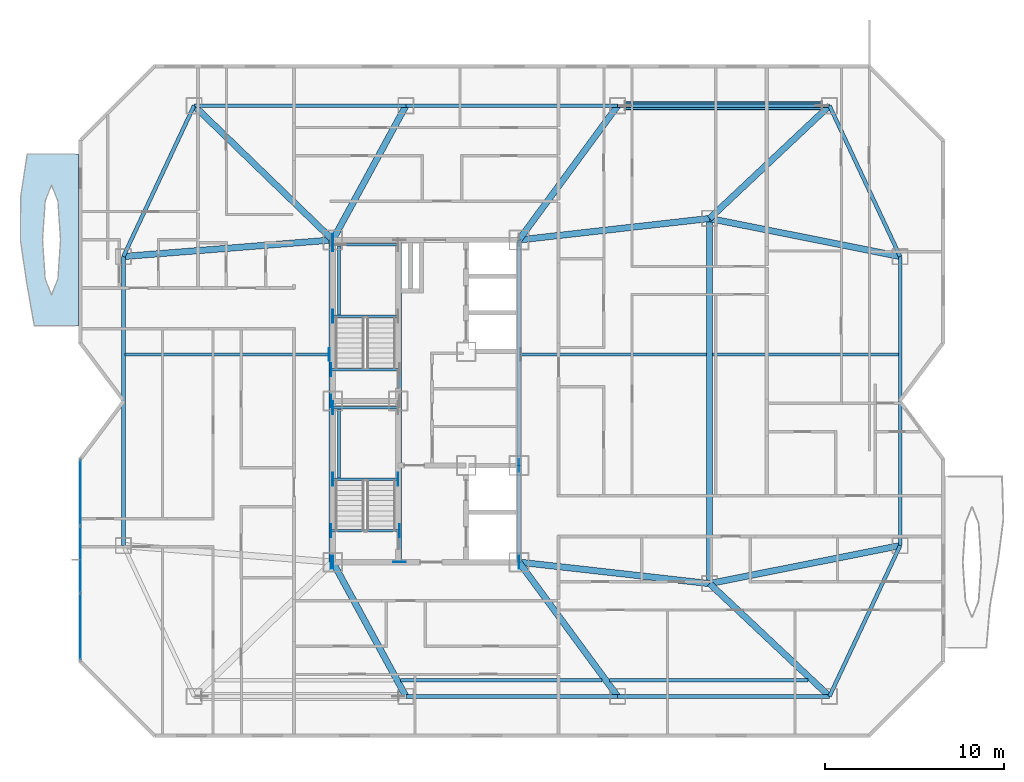
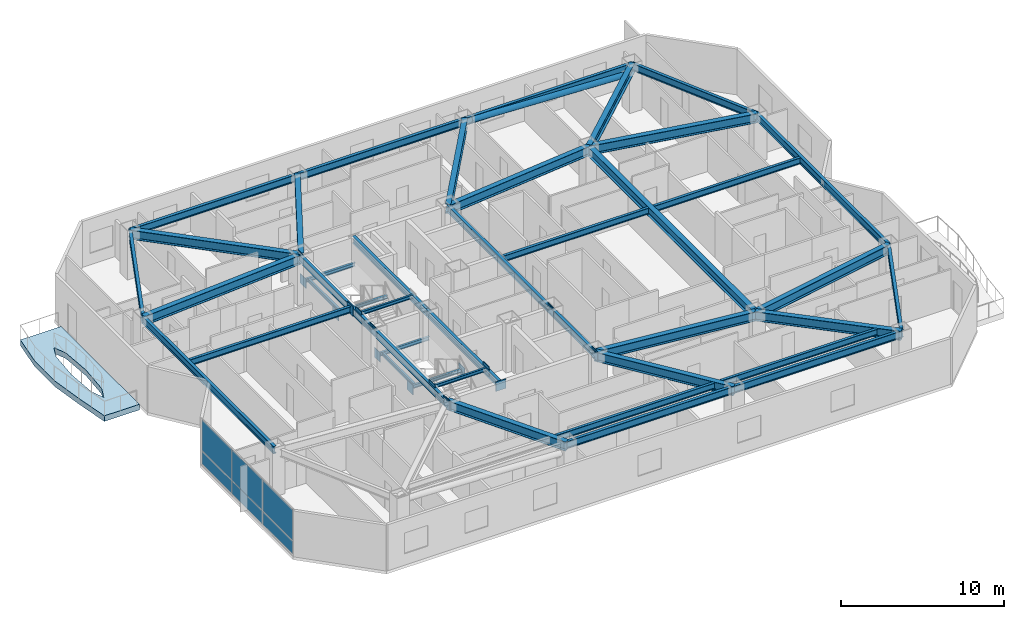
# One storey, part 5 of 16: 42 beams, 23 plates, 1 member, 1 slab, 1 element without a shape of its own.
"""IFC4 building model written with IfcOpenShell, lengths in metres."""

from ifc_helpers import new_model, si_unit, direction, frame, origin, origin_2d, place, context, subcontext, project, spatial, polyline, rectangle, hollow_circle, i_section, outline, extrude, material, layer, layer_set, material_profile, profile_set, type_object, element, aggregate, save


model = new_model("IFC4")

# Units and contexts
model_context = context("Model", 3, precision=1e-05, world=origin(), true_north=direction((0.0, 1.0)))
body_context = subcontext(model_context, "Body", "Model", "MODEL_VIEW")
ifc_project = project(units=[si_unit("LENGTHUNIT", "METRE"), si_unit("AREAUNIT", "SQUARE_METRE"), si_unit("VOLUMEUNIT", "CUBIC_METRE"), si_unit("PLANEANGLEUNIT", "RADIAN"), si_unit("MASSUNIT", "GRAM", prefix="KILO")], contexts=[model_context])

# Site, building, storey
site_placement = place(None, origin())
site = spatial("IfcSite", under=ifc_project, at=site_placement, CompositionType="ELEMENT")
building_placement = place(site_placement, origin())
building = spatial("IfcBuilding", under=site, at=building_placement, Name="Khamvora Tower", CompositionType="ELEMENT")
storey_placement = place(building_placement, frame((0.0, 0.0, 170.5)))
storey = spatial("IfcBuildingStorey", under=building, at=storey_placement, Name="L43", CompositionType="ELEMENT", Elevation=170.5)

# Beams
ifc_material_1 = material(Name="Steel S355", Category="steel")
ifc_material_profile_1 = material_profile(ifc_material_1, i_section(OverallWidth=0.19189453125, OverallDepth=0.462890625, WebThickness=0.010986328125, FlangeThickness=0.01806640625, FilletRadius=0.011962890625, at=origin_2d()), Name="W460x89")
ifc_profile_set_1 = profile_set([ifc_material_profile_1], Name="Steel S355")
beam_type_1 = type_object("IfcBeamType", Name="BM-JS-W460x89", PredefinedType="JOIST", material=ifc_profile_set_1)
beam_1_placement = place(storey_placement, frame((32.7900390625, 12.39990234375, 3.197998046875), z_axis=(1.0, 0.0, 0.0), x_axis=(0.0, 1.0, 0.0)))
element("IfcBeam", 1, at=beam_1_placement, inside=storey, type_object=beam_type_1, Name="L43 secondary floor joist 02", PredefinedType="JOIST", context=body_context, shape_type="SweptSolid", body=[
    extrude(i_section(OverallWidth=0.19189453125, OverallDepth=0.462890625, WebThickness=0.010986328125, FlangeThickness=0.01806640625, FilletRadius=0.011962890625, at=origin_2d()), origin(), (0.0, 0.0, 1.0), 11.25),
])
beam_2_placement = place(storey_placement, frame((44.469970703125, 12.39990234375, 3.197998046875), z_axis=(1.0, 0.0, 0.0), x_axis=(0.0, 1.0, 0.0)))
element("IfcBeam", 2, at=beam_2_placement, inside=storey, type_object=beam_type_1, Name="L43 secondary floor joist 03", PredefinedType="JOIST", context=body_context, shape_type="SweptSolid", body=[
    extrude(i_section(OverallWidth=0.19189453125, OverallDepth=0.462890625, WebThickness=0.010986328125, FlangeThickness=0.01806640625, FilletRadius=0.011962890625, at=origin_2d()), origin(), (0.0, 0.0, 1.0), 11.069091796875),
])
beam_3_placement = place(storey_placement, frame((17.40087890625, 30.60009765625, 3.197998046875), z_axis=(1.0, 0.0, 0.0), x_axis=(0.0, 1.0, 0.0)))
element("IfcBeam", 3, at=beam_3_placement, inside=storey, type_object=beam_type_1, Name="L43 secondary floor joist 04", PredefinedType="JOIST", context=body_context, shape_type="SweptSolid", body=[
    extrude(i_section(OverallWidth=0.19189453125, OverallDepth=0.462890625, WebThickness=0.010986328125, FlangeThickness=0.01806640625, FilletRadius=0.011962890625, at=origin_2d()), origin(), (0.0, 0.0, 1.0), 11.399169921875),
])
beam_4_placement = place(storey_placement, frame((39.4990234375, 30.60009765625, 3.197998046875), z_axis=(1.0, 0.0, 0.0), x_axis=(0.0, 1.0, 0.0)))
element("IfcBeam", 4, at=beam_4_placement, inside=storey, type_object=beam_type_1, Name="L43 secondary floor joist 05", PredefinedType="JOIST", context=body_context, shape_type="SweptSolid", body=[
    extrude(i_section(OverallWidth=0.19189453125, OverallDepth=0.462890625, WebThickness=0.010986328125, FlangeThickness=0.01806640625, FilletRadius=0.011962890625, at=origin_2d()), origin(), (0.0, 0.0, 1.0), 10.3779296875),
])
beam_5_placement = place(storey_placement, frame((50.221923828125, 30.60009765625, 3.197998046875), z_axis=(1.0, 0.0, 0.0), x_axis=(0.0, 1.0, 0.0)))
element("IfcBeam", 5, at=beam_5_placement, inside=storey, type_object=beam_type_1, Name="L43 secondary floor joist 06", PredefinedType="JOIST", context=body_context, shape_type="SweptSolid", body=[
    extrude(i_section(OverallWidth=0.19189453125, OverallDepth=0.462890625, WebThickness=0.010986328125, FlangeThickness=0.01806640625, FilletRadius=0.011962890625, at=origin_2d()), origin(), (0.0, 0.0, 1.0), 10.377197265625),
])
ifc_material_profile_2 = material_profile(ifc_material_1, i_section(OverallWidth=0.14697265625, OverallDepth=0.261962890625, WebThickness=0.007080078125, FlangeThickness=0.010986328125, FilletRadius=0.008056640625, at=origin_2d()), Name="W250x39")
ifc_profile_set_2 = profile_set([ifc_material_profile_2], Name="Steel S355")
beam_type_2 = type_object("IfcBeamType", Name="BM-LN-W250x39", PredefinedType="LINTEL", material=ifc_profile_set_2)
for number, where, z_axis, x_axis, name in (
    (6, (29.0, 23.635009765625, 1.493896484375), (1.0, 0.0, 0.0), (0.0, 1.0, 0.0), "L43 ST-01 half-landing support beam 1.1"),
    (7, (29.0, 27.6298828125, 1.493896484375), (1.0, 0.0, 0.0), (0.0, 1.0, 0.0), "L43 ST-01 half-landing support beam 1.2"),
):
    element("IfcBeam", number, at=place(storey_placement, frame(where, z_axis=z_axis, x_axis=x_axis)), inside=storey, type_object=beam_type_2, Name=name, PredefinedType="LINTEL", context=body_context, shape_type="SweptSolid", body=[
        extrude(i_section(OverallWidth=0.14697265625, OverallDepth=0.261962890625, WebThickness=0.007080078125, FlangeThickness=0.010986328125, FilletRadius=0.008056640625, at=origin_2d()), origin(), (0.0, 0.0, 1.0), 3.64990234375),
    ])
beam_6_placement = place(storey_placement, frame((29.35009765625, 23.635009765625, 1.493896484375), z_axis=(0.0, 1.0, 0.0), x_axis=(-1.0, 0.0, 0.0)))
element("IfcBeam", 8, at=beam_6_placement, inside=storey, type_object=beam_type_2, Name="L43 ST-01 half-landing edge stringer 1", PredefinedType="LINTEL", context=body_context, shape_type="SweptSolid", body=[
    extrude(i_section(OverallWidth=0.14697265625, OverallDepth=0.261962890625, WebThickness=0.007080078125, FlangeThickness=0.010986328125, FilletRadius=0.008056640625, at=origin_2d()), origin(), (0.0, 0.0, 1.0), 3.994873046875),
])
for number, where, z_axis, x_axis, name in (
    (9, (29.0, 32.735107421875, 1.493896484375), (1.0, 0.0, 0.0), (0.0, 1.0, 0.0), "L43 ST-02 half-landing support beam 1.1"),
    (10, (29.0, 36.72998046875, 1.493896484375), (1.0, 0.0, 0.0), (0.0, 1.0, 0.0), "L43 ST-02 half-landing support beam 1.2"),
):
    element("IfcBeam", number, at=place(storey_placement, frame(where, z_axis=z_axis, x_axis=x_axis)), inside=storey, type_object=beam_type_2, Name=name, PredefinedType="LINTEL", context=body_context, shape_type="SweptSolid", body=[
        extrude(i_section(OverallWidth=0.14697265625, OverallDepth=0.261962890625, WebThickness=0.007080078125, FlangeThickness=0.010986328125, FilletRadius=0.008056640625, at=origin_2d()), origin(), (0.0, 0.0, 1.0), 3.64990234375),
    ])
beam_7_placement = place(storey_placement, frame((29.35009765625, 32.735107421875, 1.493896484375), z_axis=(0.0, 1.0, 0.0), x_axis=(-1.0, 0.0, 0.0)))
element("IfcBeam", 11, at=beam_7_placement, inside=storey, type_object=beam_type_2, Name="L43 ST-02 half-landing edge stringer 1", PredefinedType="LINTEL", context=body_context, shape_type="SweptSolid", body=[
    extrude(i_section(OverallWidth=0.14697265625, OverallDepth=0.261962890625, WebThickness=0.007080078125, FlangeThickness=0.010986328125, FilletRadius=0.008056640625, at=origin_2d()), origin(), (0.0, 0.0, 1.0), 3.994873046875),
])
for number, where, z_axis, x_axis, name in (
    (12, (28.89990234375, 20.75, 3.303955078125), (1.0, 0.0, 0.0), (0.0, 1.0, 0.0), "L43 exit stair ST-01 landing trimmer beam"),
    (13, (28.89990234375, 29.75, 3.303955078125), (1.0, 0.0, 0.0), (0.0, 1.0, 0.0), "L43 exit stair ST-02 landing trimmer beam"),
):
    element("IfcBeam", number, at=place(storey_placement, frame(where, z_axis=z_axis, x_axis=x_axis)), inside=storey, type_object=beam_type_2, Name=name, PredefinedType="LINTEL", context=body_context, shape_type="SweptSolid", body=[
        extrude(i_section(OverallWidth=0.14697265625, OverallDepth=0.261962890625, WebThickness=0.007080078125, FlangeThickness=0.010986328125, FilletRadius=0.008056640625, at=origin_2d()), origin(), (0.0, 0.0, 1.0), 3.830078125),
    ])
ifc_material_profile_3 = material_profile(ifc_material_1, i_section(OverallWidth=0.35498046875, OverallDepth=0.695068359375, WebThickness=0.014892578125, FlangeThickness=0.02490234375, FilletRadius=0.01611328125, at=origin_2d()), Name="W690x217")
ifc_profile_set_3 = profile_set([ifc_material_profile_3], Name="Steel S355")
beam_type_3 = type_object("IfcBeamType", Name="BM-PG-W690x217", PredefinedType="BEAM", material=ifc_profile_set_3)
beam_8_placement = place(storey_placement, frame((50.050048828125, 17.800048828125, 3.0830078125), z_axis=(0.0, 1.0, 0.0), x_axis=(-1.0, 0.0, 0.0)))
element("IfcBeam", 14, at=beam_8_placement, inside=storey, type_object=beam_type_3, Name="L43 longitudinal frame girder M1-M2", PredefinedType="BEAM", context=body_context, shape_type="SweptSolid", body=[
    extrude(i_section(OverallWidth=0.35498046875, OverallDepth=0.695068359375, WebThickness=0.014892578125, FlangeThickness=0.02490234375, FilletRadius=0.01611328125, at=origin_2d()), origin(), (0.0, 0.0, 1.0), 20.39990234375),
])
beam_9_placement = place(storey_placement, frame((29.0, 19.0, 3.0830078125), z_axis=(0.478138862063, -0.878284252725, 0.0), x_axis=(0.878284252725, 0.478138862063, 0.0)))
element("IfcBeam", 15, at=beam_9_placement, inside=storey, type_object=beam_type_3, Name="L43 primary floor girder S2", PredefinedType="BEAM", context=body_context, shape_type="SweptSolid", body=[
    extrude(i_section(OverallWidth=0.35498046875, OverallDepth=0.695068359375, WebThickness=0.014892578125, FlangeThickness=0.02490234375, FilletRadius=0.01611328125, at=origin_2d()), origin(), (0.0, 0.0, 1.0), 8.539306640625),
])
beam_10_placement = place(storey_placement, frame((39.39990234375, 19.0, 3.0830078125), z_axis=(0.592556630955, -0.805528794713, 0.0), x_axis=(0.805528794713, 0.592556630955, 0.0)))
element("IfcBeam", 16, at=beam_10_placement, inside=storey, type_object=beam_type_3, Name="L43 primary floor girder S3", PredefinedType="BEAM", context=body_context, shape_type="SweptSolid", body=[
    extrude(i_section(OverallWidth=0.35498046875, OverallDepth=0.695068359375, WebThickness=0.014892578125, FlangeThickness=0.02490234375, FilletRadius=0.01611328125, at=origin_2d()), origin(), (0.0, 0.0, 1.0), 9.310546875),
])
beam_11_placement = place(storey_placement, frame((50.050048828125, 17.800048828125, 3.0830078125), z_axis=(0.728513992294, -0.685030921224, 0.0), x_axis=(0.685030921224, 0.728513992294, 0.0)))
element("IfcBeam", 17, at=beam_11_placement, inside=storey, type_object=beam_type_3, Name="L43 primary floor girder S4", PredefinedType="BEAM", context=body_context, shape_type="SweptSolid", body=[
    extrude(i_section(OverallWidth=0.35498046875, OverallDepth=0.695068359375, WebThickness=0.014892578125, FlangeThickness=0.02490234375, FilletRadius=0.01611328125, at=origin_2d()), origin(), (0.0, 0.0, 1.0), 9.19677734375),
])
beam_12_placement = place(storey_placement, frame((29.0, 37.0, 3.0830078125), z_axis=(-0.718602141767, 0.695421427516, 0.0), x_axis=(-0.695421427516, -0.718602141767, 0.0)))
element("IfcBeam", 18, at=beam_12_placement, inside=storey, type_object=beam_type_3, Name="L43 primary floor girder N1", PredefinedType="BEAM", context=body_context, shape_type="SweptSolid", body=[
    extrude(i_section(OverallWidth=0.35498046875, OverallDepth=0.695068359375, WebThickness=0.014892578125, FlangeThickness=0.02490234375, FilletRadius=0.01611328125, at=origin_2d()), origin(), (0.0, 0.0, 1.0), 10.784912109375),
])
beam_13_placement = place(storey_placement, frame((29.0, 37.0, 3.0830078125), z_axis=(0.478138862063, 0.878284252725, 0.0), x_axis=(-0.878284252725, 0.478138862063, 0.0)))
element("IfcBeam", 19, at=beam_13_placement, inside=storey, type_object=beam_type_3, Name="L43 primary floor girder N2", PredefinedType="BEAM", context=body_context, shape_type="SweptSolid", body=[
    extrude(i_section(OverallWidth=0.35498046875, OverallDepth=0.695068359375, WebThickness=0.014892578125, FlangeThickness=0.02490234375, FilletRadius=0.01611328125, at=origin_2d()), origin(), (0.0, 0.0, 1.0), 8.539306640625),
])
beam_14_placement = place(storey_placement, frame((39.39990234375, 37.0, 3.0830078125), z_axis=(0.592556630955, 0.805528794713, 0.0), x_axis=(-0.805528794713, 0.592556630955, 0.0)))
element("IfcBeam", 20, at=beam_14_placement, inside=storey, type_object=beam_type_3, Name="L43 primary floor girder N3", PredefinedType="BEAM", context=body_context, shape_type="SweptSolid", body=[
    extrude(i_section(OverallWidth=0.35498046875, OverallDepth=0.695068359375, WebThickness=0.014892578125, FlangeThickness=0.02490234375, FilletRadius=0.01611328125, at=origin_2d()), origin(), (0.0, 0.0, 1.0), 9.310546875),
])
beam_15_placement = place(storey_placement, frame((50.050048828125, 38.199951171875, 3.0830078125), z_axis=(0.728513992294, 0.685030921224, 0.0), x_axis=(-0.685030921224, 0.728513992294, 0.0)))
element("IfcBeam", 21, at=beam_15_placement, inside=storey, type_object=beam_type_3, Name="L43 primary floor girder N4", PredefinedType="BEAM", context=body_context, shape_type="SweptSolid", body=[
    extrude(i_section(OverallWidth=0.35498046875, OverallDepth=0.695068359375, WebThickness=0.014892578125, FlangeThickness=0.02490234375, FilletRadius=0.01611328125, at=origin_2d()), origin(), (0.0, 0.0, 1.0), 9.19677734375),
])
beam_16_placement = place(storey_placement, frame((29.0, 37.0, 3.0830078125), z_axis=(-0.996888993668, -0.078818362728, 0.0), x_axis=(0.078818362728, -0.996888993668, 0.0)))
element("IfcBeam", 22, at=beam_16_placement, inside=storey, type_object=beam_type_3, Name="L43 primary floor girder W2", PredefinedType="BEAM", context=body_context, shape_type="SweptSolid", body=[
    extrude(i_section(OverallWidth=0.35498046875, OverallDepth=0.695068359375, WebThickness=0.014892578125, FlangeThickness=0.02490234375, FilletRadius=0.01611328125, at=origin_2d()), origin(), (0.0, 0.0, 1.0), 11.736572265625),
])
for number, where, z_axis, x_axis, name in (
    (23, (50.050048828125, 17.800048828125, 3.0830078125), (0.980668771461, 0.195675140681, 0.0), (-0.195675140681, 0.980668771461, 0.0), "L43 primary floor girder E1"),
    (24, (50.050048828125, 38.199951171875, 3.0830078125), (0.980668771461, -0.195675140681, 0.0), (0.195675140681, 0.980668771461, 0.0), "L43 primary floor girder E2"),
):
    element("IfcBeam", number, at=place(storey_placement, frame(where, z_axis=z_axis, x_axis=x_axis)), inside=storey, type_object=beam_type_3, Name=name, PredefinedType="BEAM", context=body_context, shape_type="SweptSolid", body=[
        extrude(i_section(OverallWidth=0.35498046875, OverallDepth=0.695068359375, WebThickness=0.014892578125, FlangeThickness=0.02490234375, FilletRadius=0.01611328125, at=origin_2d()), origin(), (0.0, 0.0, 1.0), 10.85986328125),
    ])
for number, where, z_axis, x_axis, name in (
    (25, (39.39990234375, 19.0, 3.0830078125), (0.993712543569, -0.111961514606, 0.0), (0.111961514606, 0.993712543569, 0.0), "L43 primary floor girder M1"),
    (26, (39.39990234375, 37.0, 3.0830078125), (0.993712543569, 0.111961514606, 0.0), (-0.111961514606, 0.993712543569, 0.0), "L43 primary floor girder M2"),
):
    element("IfcBeam", number, at=place(storey_placement, frame(where, z_axis=z_axis, x_axis=x_axis)), inside=storey, type_object=beam_type_3, Name=name, PredefinedType="BEAM", context=body_context, shape_type="SweptSolid", body=[
        extrude(i_section(OverallWidth=0.35498046875, OverallDepth=0.695068359375, WebThickness=0.014892578125, FlangeThickness=0.02490234375, FilletRadius=0.01611328125, at=origin_2d()), origin(), (0.0, 0.0, 1.0), 10.717529296875),
    ])
ifc_material_profile_4 = material_profile(ifc_material_1, i_section(OverallWidth=0.2119140625, OverallDepth=0.5439453125, WebThickness=0.012939453125, FlangeThickness=0.02099609375, FilletRadius=0.013916015625, at=origin_2d()), Name="W530x123")
ifc_profile_set_4 = profile_set([ifc_material_profile_4], Name="Steel S355")
beam_type_4 = type_object("IfcBeamType", Name="BM-SP-W530x123", PredefinedType="SPANDREL", material=ifc_profile_set_4)
beam_17_placement = place(storey_placement, frame((33.0830078125, 11.5, 3.157958984375), z_axis=(1.0, 0.0, 0.0), x_axis=(0.0, 1.0, 0.0)))
element("IfcBeam", 27, at=beam_17_placement, inside=storey, type_object=beam_type_4, Name="L43 perimeter spandrel beam S2-S3", PredefinedType="SPANDREL", context=body_context, shape_type="SweptSolid", body=[
    extrude(i_section(OverallWidth=0.2119140625, OverallDepth=0.5439453125, WebThickness=0.012939453125, FlangeThickness=0.02099609375, FilletRadius=0.013916015625, at=origin_2d()), origin(), (0.0, 0.0, 1.0), 11.833984375),
])
beam_18_placement = place(storey_placement, frame((44.9169921875, 11.5, 3.157958984375), z_axis=(1.0, 0.0, 0.0), x_axis=(0.0, 1.0, 0.0)))
element("IfcBeam", 28, at=beam_18_placement, inside=storey, type_object=beam_type_4, Name="L43 perimeter spandrel beam S3-S4", PredefinedType="SPANDREL", context=body_context, shape_type="SweptSolid", body=[
    extrude(i_section(OverallWidth=0.2119140625, OverallDepth=0.5439453125, WebThickness=0.012939453125, FlangeThickness=0.02099609375, FilletRadius=0.013916015625, at=origin_2d()), origin(), (0.0, 0.0, 1.0), 11.8330078125),
])
beam_19_placement = place(storey_placement, frame((56.75, 11.5, 3.157958984375), z_axis=(0.424496391454, 0.905429629315, 0.0), x_axis=(-0.905429629315, 0.424496391454, 0.0)))
element("IfcBeam", 29, at=beam_19_placement, inside=storey, type_object=beam_type_4, Name="L43 perimeter spandrel beam S4-E1", PredefinedType="SPANDREL", context=body_context, shape_type="SweptSolid", body=[
    extrude(i_section(OverallWidth=0.2119140625, OverallDepth=0.5439453125, WebThickness=0.012939453125, FlangeThickness=0.02099609375, FilletRadius=0.013916015625, at=origin_2d()), origin(), (0.0, 0.0, 1.0), 9.304931640625),
])
beam_20_placement = place(storey_placement, frame((60.699951171875, 19.925048828125, 3.157958984375), z_axis=(0.0, 1.0, 0.0), x_axis=(-1.0, 0.0, 0.0)))
element("IfcBeam", 30, at=beam_20_placement, inside=storey, type_object=beam_type_4, Name="L43 perimeter spandrel beam E1-E2", PredefinedType="SPANDREL", context=body_context, shape_type="SweptSolid", body=[
    extrude(i_section(OverallWidth=0.2119140625, OverallDepth=0.5439453125, WebThickness=0.012939453125, FlangeThickness=0.02099609375, FilletRadius=0.013916015625, at=origin_2d()), origin(), (0.0, 0.0, 1.0), 16.14990234375),
])
beam_21_placement = place(storey_placement, frame((60.699951171875, 36.074951171875, 3.157958984375), z_axis=(-0.424496391454, 0.905429629315, 0.0), x_axis=(-0.905429629315, -0.424496391454, 0.0)))
element("IfcBeam", 31, at=beam_21_placement, inside=storey, type_object=beam_type_4, Name="L43 perimeter spandrel beam E2-N4", PredefinedType="SPANDREL", context=body_context, shape_type="SweptSolid", body=[
    extrude(i_section(OverallWidth=0.2119140625, OverallDepth=0.5439453125, WebThickness=0.012939453125, FlangeThickness=0.02099609375, FilletRadius=0.013916015625, at=origin_2d()), origin(), (0.0, 0.0, 1.0), 9.304931640625),
])
beam_22_placement = place(storey_placement, frame((56.75, 44.5, 3.157958984375), z_axis=(-1.0, 0.0, 0.0), x_axis=(0.0, -1.0, 0.0)))
element("IfcBeam", 32, at=beam_22_placement, inside=storey, type_object=beam_type_4, Name="L43 perimeter spandrel beam N4-N3", PredefinedType="SPANDREL", context=body_context, shape_type="SweptSolid", body=[
    extrude(i_section(OverallWidth=0.2119140625, OverallDepth=0.5439453125, WebThickness=0.012939453125, FlangeThickness=0.02099609375, FilletRadius=0.013916015625, at=origin_2d()), origin(), (0.0, 0.0, 1.0), 11.8330078125),
])
beam_23_placement = place(storey_placement, frame((44.9169921875, 44.5, 3.157958984375), z_axis=(-1.0, 0.0, 0.0), x_axis=(0.0, -1.0, 0.0)))
element("IfcBeam", 33, at=beam_23_placement, inside=storey, type_object=beam_type_4, Name="L43 perimeter spandrel beam N3-N2", PredefinedType="SPANDREL", context=body_context, shape_type="SweptSolid", body=[
    extrude(i_section(OverallWidth=0.2119140625, OverallDepth=0.5439453125, WebThickness=0.012939453125, FlangeThickness=0.02099609375, FilletRadius=0.013916015625, at=origin_2d()), origin(), (0.0, 0.0, 1.0), 11.833984375),
])
beam_24_placement = place(storey_placement, frame((33.0830078125, 44.5, 3.157958984375), z_axis=(-1.0, 0.0, 0.0), x_axis=(0.0, -1.0, 0.0)))
element("IfcBeam", 34, at=beam_24_placement, inside=storey, type_object=beam_type_4, Name="L43 perimeter spandrel beam N2-N1", PredefinedType="SPANDREL", context=body_context, shape_type="SweptSolid", body=[
    extrude(i_section(OverallWidth=0.2119140625, OverallDepth=0.5439453125, WebThickness=0.012939453125, FlangeThickness=0.02099609375, FilletRadius=0.013916015625, at=origin_2d()), origin(), (0.0, 0.0, 1.0), 11.8330078125),
])
beam_25_placement = place(storey_placement, frame((21.25, 44.5, 3.157958984375), z_axis=(-0.424496391454, -0.905429629315, 0.0), x_axis=(0.905429629315, -0.424496391454, 0.0)))
element("IfcBeam", 35, at=beam_25_placement, inside=storey, type_object=beam_type_4, Name="L43 perimeter spandrel beam N1-W2", PredefinedType="SPANDREL", context=body_context, shape_type="SweptSolid", body=[
    extrude(i_section(OverallWidth=0.2119140625, OverallDepth=0.5439453125, WebThickness=0.012939453125, FlangeThickness=0.02099609375, FilletRadius=0.013916015625, at=origin_2d()), origin(), (0.0, 0.0, 1.0), 9.304931640625),
])
beam_26_placement = place(storey_placement, frame((17.300048828125, 36.074951171875, 3.157958984375), z_axis=(0.0, -1.0, 0.0), x_axis=(1.0, 0.0, 0.0)))
element("IfcBeam", 36, at=beam_26_placement, inside=storey, type_object=beam_type_4, Name="L43 perimeter spandrel beam W2-W1", PredefinedType="SPANDREL", context=body_context, shape_type="SweptSolid", body=[
    extrude(i_section(OverallWidth=0.2119140625, OverallDepth=0.5439453125, WebThickness=0.012939453125, FlangeThickness=0.02099609375, FilletRadius=0.013916015625, at=origin_2d()), origin(), (0.0, 0.0, 1.0), 16.14990234375),
])
ifc_material_profile_5 = material_profile(ifc_material_1, i_section(OverallWidth=0.208984375, OverallDepth=0.532958984375, WebThickness=0.010009765625, FlangeThickness=0.01611328125, FilletRadius=0.013916015625, at=origin_2d()), Name="W530x92")
ifc_profile_set_5 = profile_set([ifc_material_profile_5], Name="Steel S355")
beam_type_5 = type_object("IfcBeamType", Name="BM-SP-W530x92", PredefinedType="SPANDREL", material=ifc_profile_set_5)
for number, where, z_axis, x_axis, name in (
    (37, (28.89990234375, 19.0, 3.1630859375), (0.0, 1.0, 0.0), (-1.0, 0.0, 0.0), "L43 core spine girder WS"),
    (38, (28.89990234375, 28.0, 3.1630859375), (0.0, 1.0, 0.0), (-1.0, 0.0, 0.0), "L43 core spine girder WN"),
    (39, (32.72998046875, 19.0, 3.1630859375), (0.0, 1.0, 0.0), (-1.0, 0.0, 0.0), "L43 core spine girder M1S"),
    (40, (32.72998046875, 28.0, 3.1630859375), (0.0, 1.0, 0.0), (-1.0, 0.0, 0.0), "L43 core spine girder M1N"),
):
    element("IfcBeam", number, at=place(storey_placement, frame(where, z_axis=z_axis, x_axis=x_axis)), inside=storey, type_object=beam_type_5, Name=name, PredefinedType="SPANDREL", context=body_context, shape_type="SweptSolid", body=[
        extrude(i_section(OverallWidth=0.208984375, OverallDepth=0.532958984375, WebThickness=0.010009765625, FlangeThickness=0.01611328125, FilletRadius=0.013916015625, at=origin_2d()), origin(), (0.0, 0.0, 1.0), 9.0),
    ])
beam_27_placement = place(storey_placement, frame((39.39990234375, 19.0, 3.1630859375), z_axis=(0.0, 1.0, 0.0), x_axis=(-1.0, 0.0, 0.0)))
element("IfcBeam", 41, at=beam_27_placement, inside=storey, type_object=beam_type_5, Name="L43 core spine girder ES", PredefinedType="SPANDREL", context=body_context, shape_type="SweptSolid", body=[
    extrude(i_section(OverallWidth=0.208984375, OverallDepth=0.532958984375, WebThickness=0.010009765625, FlangeThickness=0.01611328125, FilletRadius=0.013916015625, at=origin_2d()), origin(), (0.0, 0.0, 1.0), 5.39990234375),
])
beam_28_placement = place(storey_placement, frame((39.39990234375, 24.39990234375, 3.1630859375), z_axis=(0.0, 1.0, 0.0), x_axis=(-1.0, 0.0, 0.0)))
element("IfcBeam", 42, at=beam_28_placement, inside=storey, type_object=beam_type_5, Name="L43 core spine girder EN", PredefinedType="SPANDREL", context=body_context, shape_type="SweptSolid", body=[
    extrude(i_section(OverallWidth=0.208984375, OverallDepth=0.532958984375, WebThickness=0.010009765625, FlangeThickness=0.01611328125, FilletRadius=0.013916015625, at=origin_2d()), origin(), (0.0, 0.0, 1.0), 12.60009765625),
])

# Member
ifc_material_profile_6 = material_profile(ifc_material_1, hollow_circle(Radius=0.228515625, WallThickness=0.02001953125, at=origin_2d()), Name="CHS457x20")
ifc_profile_set_6 = profile_set([ifc_material_profile_6], Name="Steel S355")
member_type = type_object("IfcMemberType", Name="MEM-BR-CHS457", PredefinedType="BRACE", material=ifc_profile_set_6)
member_placement = place(storey_placement, frame((56.320068359375, 44.5, 2.697998046875), z_axis=(-0.999174860809, 0.0, 0.040615237634), x_axis=(0.0, -1.0, 0.0)))
element("IfcMember", 43, at=member_placement, inside=storey, type_object=member_type, Name="L43 perimeter wind brace 2", PredefinedType="BRACE", context=body_context, shape_type="SweptSolid", body=[
    extrude(hollow_circle(Radius=0.228515625, WallThickness=0.02001953125, at=origin_2d()), origin(), (0.0, 0.0, 1.0), 10.982177734375),
])

# Curtain wall, plates
ifc_material_2 = material(Name="Anodised Aluminium 6063-T6", Category="aluminium")
curtain_wall_type = type_object("IfcCurtainWallType", Name="CW-SYS-04", PredefinedType="NOTDEFINED", material=ifc_material_2)
curtain_wall_placement = place(storey_placement, origin())
curtain_wall = element("IfcCurtainWall", 44, at=curtain_wall_placement, inside=storey, type_object=curtain_wall_type, Name="L43 stick curtain wall 02.1", PredefinedType="NOTDEFINED")
ifc_material_3 = material(Name="Low-E Laminated Double Glazing", Category="glass")
ifc_layer_1 = layer(ifc_material_3, 0.028076171875)
ifc_layer_set_1 = layer_set([ifc_layer_1], Name="Low-E Laminated Double Glazing")
plate_type_1 = type_object("IfcPlateType", Name="CW-SYS-04-PNL", PredefinedType="CURTAIN_PANEL", material=ifc_layer_set_1)
plate_1_placement = place(storey_placement, frame((14.89990234375, 15.3974609375, 0.06494140625), z_axis=(0.0, 0.0, 1.0), x_axis=(0.0, 1.0, 0.0)))
plate_1 = element("IfcPlate", 45, at=plate_1_placement, type_object=plate_type_1, Name="CW-04 panel 1.1", PredefinedType="CURTAIN_PANEL", context=body_context, shape_type="SweptSolid", body=[
    extrude(rectangle(XDim=3.65673828125, YDim=0.028076171875, at=origin_2d()), origin(), (0.0, 0.0, 1.0), 0.952392578125),
])
plate_2_placement = place(storey_placement, frame((14.89990234375, 15.3974609375, 1.08251953125), z_axis=(0.0, 0.0, 1.0), x_axis=(0.0, 1.0, 0.0)))
plate_2 = element("IfcPlate", 46, at=plate_2_placement, type_object=plate_type_1, Name="CW-04 panel 1.2", PredefinedType="CURTAIN_PANEL", context=body_context, shape_type="SweptSolid", body=[
    extrude(rectangle(XDim=3.65673828125, YDim=0.028076171875, at=origin_2d()), origin(), (0.0, 0.0, 1.0), 2.282470703125),
])
plate_3_placement = place(storey_placement, frame((14.89990234375, 19.135498046875, 0.06494140625), z_axis=(0.0, 0.0, 1.0), x_axis=(0.0, 1.0, 0.0)))
plate_3 = element("IfcPlate", 47, at=plate_3_placement, type_object=plate_type_1, Name="CW-04 panel 2.1", PredefinedType="CURTAIN_PANEL", context=body_context, shape_type="SweptSolid", body=[
    extrude(rectangle(XDim=3.689453125, YDim=0.028076171875, at=origin_2d()), origin(), (0.0, 0.0, 1.0), 0.952392578125),
])
plate_4_placement = place(storey_placement, frame((14.89990234375, 19.135498046875, 1.08251953125), z_axis=(0.0, 0.0, 1.0), x_axis=(0.0, 1.0, 0.0)))
plate_4 = element("IfcPlate", 48, at=plate_4_placement, type_object=plate_type_1, Name="CW-04 panel 2.2", PredefinedType="CURTAIN_PANEL", context=body_context, shape_type="SweptSolid", body=[
    extrude(rectangle(XDim=3.689453125, YDim=0.028076171875, at=origin_2d()), origin(), (0.0, 0.0, 1.0), 2.282470703125),
])
plate_5_placement = place(storey_placement, frame((14.89990234375, 22.87353515625, 0.06494140625), z_axis=(0.0, 0.0, 1.0), x_axis=(0.0, 1.0, 0.0)))
plate_5 = element("IfcPlate", 49, at=plate_5_placement, type_object=plate_type_1, Name="CW-04 panel 3.1", PredefinedType="CURTAIN_PANEL", context=body_context, shape_type="SweptSolid", body=[
    extrude(rectangle(XDim=3.65673828125, YDim=0.028076171875, at=origin_2d()), origin(), (0.0, 0.0, 1.0), 0.952392578125),
])
plate_6_placement = place(storey_placement, frame((14.89990234375, 22.87353515625, 1.08251953125), z_axis=(0.0, 0.0, 1.0), x_axis=(0.0, 1.0, 0.0)))
plate_6 = element("IfcPlate", 50, at=plate_6_placement, type_object=plate_type_1, Name="CW-04 panel 3.2", PredefinedType="CURTAIN_PANEL", context=body_context, shape_type="SweptSolid", body=[
    extrude(rectangle(XDim=3.65673828125, YDim=0.028076171875, at=origin_2d()), origin(), (0.0, 0.0, 1.0), 2.282470703125),
])
aggregate(curtain_wall, [plate_1, plate_2, plate_3, plate_4, plate_5, plate_6])

# Plates
ifc_material_4 = material(Name="Steel S460", Category="steel")
ifc_layer_2 = layer(ifc_material_4, 0.034912109375)
ifc_layer_set_2 = layer_set([ifc_layer_2], Name="Steel S460")
plate_type_2 = type_object("IfcPlateType", Name="PL-EMB-35", PredefinedType="SHEET", material=ifc_layer_set_2)
for number, where, z_axis, x_axis, name in (
    (51, (29.0, 23.635009765625, 1.1337890625), (0.0, 0.0, 1.0), (1.0, 0.0, 0.0), "L43 core shear wall cast-in embed plate 1254"),
    (52, (32.64990234375, 23.635009765625, 1.1337890625), (0.0, 0.0, 1.0), (1.0, 0.0, 0.0), "L43 core shear wall cast-in embed plate 1255"),
    (53, (29.0, 27.6298828125, 1.1337890625), (0.0, 0.0, 1.0), (1.0, 0.0, 0.0), "L43 core shear wall cast-in embed plate 1256"),
    (54, (29.0, 32.735107421875, 1.1337890625), (0.0, 0.0, 1.0), (1.0, 0.0, 0.0), "L43 core shear wall cast-in embed plate 1258"),
    (55, (29.0, 36.72998046875, 1.1337890625), (0.0, 0.0, 1.0), (1.0, 0.0, 0.0), "L43 core shear wall cast-in embed plate 1260"),
    (56, (29.0, 19.0, 2.72314453125), (0.0, 0.0, 1.0), (1.0, 0.0, 0.0), "L43 core shear wall cast-in embed plate 1263"),
    (57, (39.39990234375, 19.0, 2.72314453125), (0.0, 0.0, 1.0), (1.0, 0.0, 0.0), "L43 core shear wall cast-in embed plate 1264"),
    (58, (29.0, 37.0, 2.72314453125), (0.0, 0.0, 1.0), (1.0, 0.0, 0.0), "L43 core shear wall cast-in embed plate 1265"),
    (59, (28.89990234375, 19.0, 2.80322265625), (0.0, 0.0, 1.0), (1.0, 0.0, 0.0), "L43 core shear wall cast-in embed plate 1267"),
    (60, (28.89990234375, 28.0, 2.80322265625), (0.0, 0.0, 1.0), (1.0, 0.0, 0.0), "L43 core shear wall cast-in embed plate 1268"),
):
    element("IfcPlate", number, at=place(storey_placement, frame(where, z_axis=z_axis, x_axis=x_axis)), inside=storey, type_object=plate_type_2, Name=name, PredefinedType="SHEET", context=body_context, shape_type="SweptSolid", body=[
        extrude(rectangle(XDim=0.034912109375, YDim=0.719970703125, at=origin_2d()), origin(), (0.0, 0.0, 1.0), 0.719970703125),
    ])
plate_7_placement = place(storey_placement, frame((32.72998046875, 19.0, 2.80322265625), z_axis=(0.0, 0.0, 1.0), x_axis=(1.0, 0.0, 0.0)))
element("IfcPlate", 61, at=plate_7_placement, inside=storey, type_object=plate_type_2, Name="L43 core shear wall cast-in embed plate 1270", PredefinedType="SHEET", context=body_context, shape_type="SweptSolid", body=[
    extrude(rectangle(XDim=0.719970703125, YDim=0.034912109375, at=origin_2d()), origin(), (0.0, 0.0, 1.0), 0.719970703125),
])
for number, where, z_axis, x_axis, name in (
    (62, (39.39990234375, 19.0, 2.80322265625), (0.0, 0.0, 1.0), (1.0, 0.0, 0.0), "L43 core shear wall cast-in embed plate 1273"),
    (63, (39.39990234375, 24.39990234375, 2.80322265625), (0.0, 0.0, 1.0), (1.0, 0.0, 0.0), "L43 core shear wall cast-in embed plate 1274"),
    (64, (28.89990234375, 20.75, 2.94384765625), (0.0, 0.0, 1.0), (1.0, 0.0, 0.0), "L43 core shear wall cast-in embed plate 1276"),
    (65, (32.72998046875, 20.75, 2.94384765625), (0.0, 0.0, 1.0), (1.0, 0.0, 0.0), "L43 core shear wall cast-in embed plate 1277"),
    (66, (28.89990234375, 29.75, 2.94384765625), (0.0, 0.0, 1.0), (1.0, 0.0, 0.0), "L43 core shear wall cast-in embed plate 1278"),
    (67, (28.800048828125, 30.60009765625, 2.837890625), (0.0, 0.0, 1.0), (1.0, 0.0, 0.0), "L43 core shear wall cast-in embed plate 1280"),
):
    element("IfcPlate", number, at=place(storey_placement, frame(where, z_axis=z_axis, x_axis=x_axis)), inside=storey, type_object=plate_type_2, Name=name, PredefinedType="SHEET", context=body_context, shape_type="SweptSolid", body=[
        extrude(rectangle(XDim=0.034912109375, YDim=0.719970703125, at=origin_2d()), origin(), (0.0, 0.0, 1.0), 0.719970703125),
    ])

# Slab
ifc_material_5 = material(Name="Concrete C40/50", Category="concrete")
ifc_layer_3 = layer(ifc_material_5, 0.419921875)
ifc_layer_set_3 = layer_set([ifc_layer_3], Name="Concrete C40/50")
slab_type = type_object("IfcSlabType", Name="SLB-GRD-420", PredefinedType="FLOOR", material=ifc_layer_set_3)
slab_placement = place(storey_placement, frame((0.0, 0.0, -0.419921875)))
element("IfcSlab", 68, at=slab_placement, inside=storey, type_object=slab_type, Name="L43 external lens gallery slab WL2", PredefinedType="FLOOR", context=body_context, shape_type="SweptSolid", body=[
    extrude(outline(polyline([(14.800048828125, 32.199951171875), (14.800048828125, 41.800048828125), (11.925048828125, 41.800048828125), (11.56005859375, 39.39990234375), (11.547119140625, 37.0), (11.89697265625, 34.60009765625), (12.322021484375, 32.199951171875), (14.800048828125, 32.199951171875)]), holes=[polyline([(13.7890625, 37.0), (13.64111328125, 39.172119140625), (13.284912109375, 40.072021484375), (12.928955078125, 39.172119140625), (12.781005859375, 37.0), (12.928955078125, 34.827880859375), (13.284912109375, 33.927978515625), (13.64111328125, 34.827880859375), (13.7890625, 37.0)])]), origin(), (0.0, 0.0, 1.0), 0.419921875),
])

save(model, "model.ifc")
